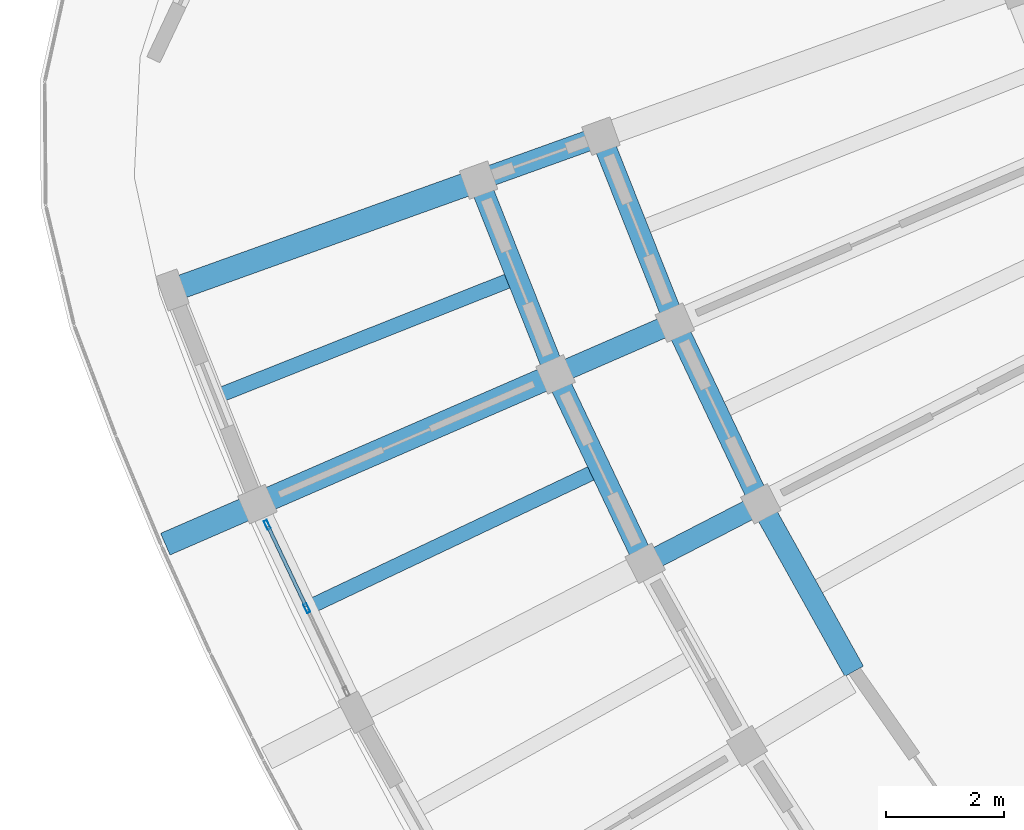
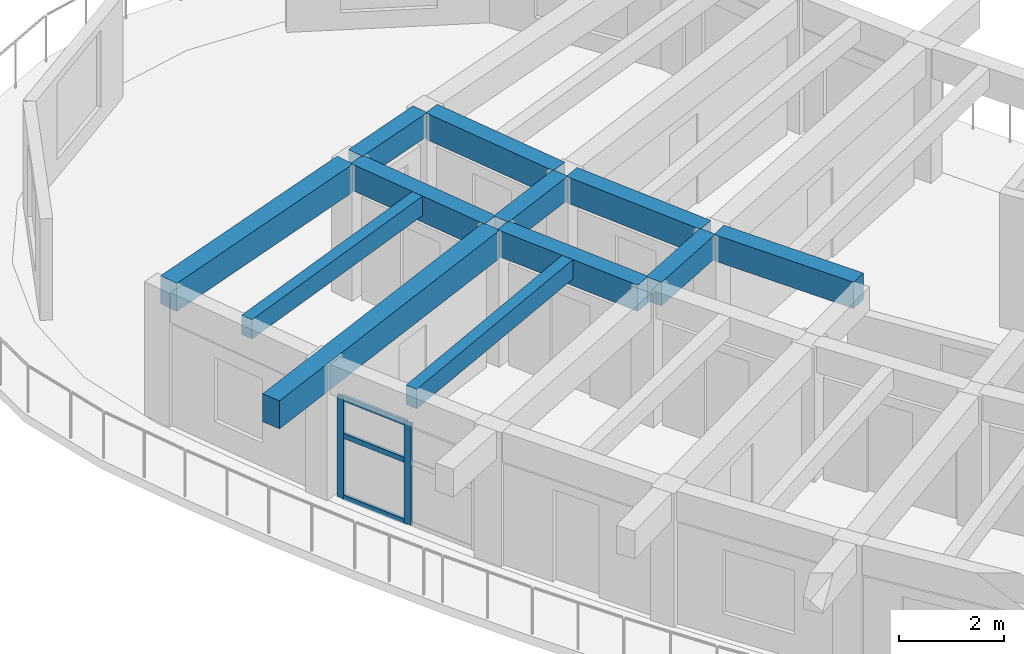
# One storey, part 10 of 83: 12 beams, 5 members, 1 element without a shape of its own.
"""IFC4 building model written with IfcOpenShell, lengths in metres."""

from ifc_helpers import new_model, si_unit, direction, frame, origin, origin_2d, place, context, subcontext, project, spatial, rectangle, hollow_rectangle, extrude, material, material_profile, profile_set, type_object, element, aggregate, save


model = new_model("IFC4")

# Units and contexts
model_context = context("Model", 3, precision=1e-05, world=origin(), true_north=direction((0.0, 1.0)))
body_context = subcontext(model_context, "Body", "Model", "MODEL_VIEW")
ifc_project = project(units=[si_unit("LENGTHUNIT", "METRE"), si_unit("AREAUNIT", "SQUARE_METRE"), si_unit("VOLUMEUNIT", "CUBIC_METRE"), si_unit("PLANEANGLEUNIT", "RADIAN"), si_unit("MASSUNIT", "GRAM", prefix="KILO")], contexts=[model_context])

# Site, building, storey
site_placement = place(None, origin())
site = spatial("IfcSite", under=ifc_project, at=site_placement, CompositionType="ELEMENT")
building_placement = place(site_placement, origin())
building = spatial("IfcBuilding", under=site, at=building_placement, Name="Tanwirah Colonnade Gardens", CompositionType="ELEMENT")
storey_placement = place(building_placement, frame((0.0, 0.0, 25.639892578125)))
storey = spatial("IfcBuildingStorey", under=building, at=storey_placement, Name="L07", CompositionType="ELEMENT", Elevation=25.639892578125)

# Beams
ifc_material_1 = material(Name="Precast concrete C40/50", Category="concrete")
ifc_material_profile_1 = material_profile(ifc_material_1, rectangle(XDim=0.360107421875, YDim=0.610107421875, at=origin_2d()), Name="PC-BM 360x610")
ifc_profile_set_1 = profile_set([ifc_material_profile_1], Name="Precast concrete C40/50")
beam_type_1 = type_object("IfcBeamType", Name="BM-PC300", PredefinedType="BEAM", material=ifc_profile_set_1)
beam_1_placement = place(storey_placement, frame((16.25537109375, 46.839599609375, 2.80517578125), z_axis=(0.368544574427, -0.929610077753, 0.0), x_axis=(0.929610077753, 0.368544574427, 0.0)))
element("IfcBeam", 1, at=beam_1_placement, inside=storey, type_object=beam_type_1, Name="Block C L07 Circumferential Beam 1-R1", PredefinedType="BEAM", context=body_context, shape_type="SweptSolid", body=[
    extrude(rectangle(XDim=0.360107421875, YDim=0.610107421875, at=origin_2d()), origin(), (0.0, 0.0, 1.0), 3.093017578125),
])
beam_2_placement = place(storey_placement, frame((14.184814453125, 46.09619140625, 2.80517578125), z_axis=(0.368527954052, -0.929616666741, 0.0), x_axis=(0.929616666741, 0.368527954052, 0.0)))
element("IfcBeam", 2, at=beam_2_placement, inside=storey, type_object=beam_type_1, Name="Block C L07 Circumferential Beam 1-R2", PredefinedType="BEAM", context=body_context, shape_type="SweptSolid", body=[
    extrude(rectangle(XDim=0.360107421875, YDim=0.610107421875, at=origin_2d()), origin(), (0.0, 0.0, 1.0), 3.23681640625),
])
beam_3_placement = place(storey_placement, frame((17.5146484375, 43.689453125, 2.80517578125), z_axis=(0.428520598641, -0.903532011907, 0.0), x_axis=(0.903532011907, 0.428520598641, 0.0)))
element("IfcBeam", 3, at=beam_3_placement, inside=storey, type_object=beam_type_1, Name="Block C L07 Circumferential Beam 2-R1", PredefinedType="BEAM", context=body_context, shape_type="SweptSolid", body=[
    extrude(rectangle(XDim=0.360107421875, YDim=0.610107421875, at=origin_2d()), origin(), (0.0, 0.0, 1.0), 3.093017578125),
])
beam_4_placement = place(storey_placement, frame((15.4970703125, 42.81201171875, 2.80517578125), z_axis=(0.428562893949, -0.903511951183, 0.0), x_axis=(0.903511951183, 0.428562893949, 0.0)))
element("IfcBeam", 4, at=beam_4_placement, inside=storey, type_object=beam_type_1, Name="Block C L07 Circumferential Beam 2-R2", PredefinedType="BEAM", context=body_context, shape_type="SweptSolid", body=[
    extrude(rectangle(XDim=0.360107421875, YDim=0.610107421875, at=origin_2d()), origin(), (0.0, 0.0, 1.0), 3.23681640625),
])
beam_5_placement = place(storey_placement, frame((18.9775390625, 40.628173828125, 2.80517578125), z_axis=(0.486708181837, -0.873564620239, 0.0), x_axis=(0.873564620239, 0.486708181837, 0.0)))
element("IfcBeam", 5, at=beam_5_placement, inside=storey, type_object=beam_type_1, Name="Block C L07 Circumferential Beam 3-R1", PredefinedType="BEAM", context=body_context, shape_type="SweptSolid", body=[
    extrude(rectangle(XDim=0.360107421875, YDim=0.610107421875, at=origin_2d()), origin(), (0.0, 0.0, 1.0), 3.093017578125),
])
ifc_material_profile_2 = material_profile(ifc_material_1, rectangle(XDim=0.35009765625, YDim=0.550048828125, at=origin_2d()), Name="PC-BM 350x550")
ifc_profile_set_2 = profile_set([ifc_material_profile_2], Name="Precast concrete C40/50")
beam_type_2 = type_object("IfcBeamType", Name="BM-PC350A", PredefinedType="BEAM", material=ifc_profile_set_2)
beam_6_placement = place(storey_placement, frame((16.058837890625, 46.92822265625, 2.835205078125), z_axis=(-0.941214575511, -0.337809299525, 0.0), x_axis=(0.337809299525, -0.941214575511, 0.0)))
element("IfcBeam", 6, at=beam_6_placement, inside=storey, type_object=beam_type_2, Name="Block C L07 Corridor Tie Beam 1", PredefinedType="BEAM", context=body_context, shape_type="SweptSolid", body=[
    extrude(rectangle(XDim=0.35009765625, YDim=0.550048828125, at=origin_2d()), origin(), (0.0, 0.0, 1.0), 1.89990234375),
])
beam_7_placement = place(storey_placement, frame((17.31298828125, 43.76513671875, 2.835205078125), z_axis=(-0.917025109963, -0.398829471952, 0.0), x_axis=(0.398829471952, -0.917025109963, 0.0)))
element("IfcBeam", 7, at=beam_7_placement, inside=storey, type_object=beam_type_2, Name="Block C L07 Corridor Tie Beam 2", PredefinedType="BEAM", context=body_context, shape_type="SweptSolid", body=[
    extrude(rectangle(XDim=0.35009765625, YDim=0.550048828125, at=origin_2d()), origin(), (0.0, 0.0, 1.0), 1.900146484375),
])
beam_8_placement = place(storey_placement, frame((18.77099609375, 40.690673828125, 2.835205078125), z_axis=(-0.888965044602, -0.457975053334, 0.0), x_axis=(0.457975053334, -0.888965044602, 0.0)))
element("IfcBeam", 8, at=beam_8_placement, inside=storey, type_object=beam_type_2, Name="Block C L07 Corridor Tie Beam 3", PredefinedType="BEAM", context=body_context, shape_type="SweptSolid", body=[
    extrude(rectangle(XDim=0.35009765625, YDim=0.550048828125, at=origin_2d()), origin(), (0.0, 0.0, 1.0), 1.89990234375),
])
ifc_material_2 = material(Name="Precast concrete C45/55", Category="concrete")
ifc_material_profile_3 = material_profile(ifc_material_2, rectangle(XDim=0.39990234375, YDim=0.64990234375, at=origin_2d()), Name="PC-BM 400x650")
ifc_profile_set_3 = profile_set([ifc_material_profile_3], Name="Precast concrete C45/55")
beam_type_3 = type_object("IfcBeamType", Name="BM-PC400", PredefinedType="BEAM", material=ifc_profile_set_3)
beam_9_placement = place(storey_placement, frame((13.98828125, 46.184814453125, 2.78515625), z_axis=(-0.941179739589, -0.337906344698, 0.0), x_axis=(0.337906344698, -0.941179739589, 0.0)))
element("IfcBeam", 9, at=beam_9_placement, inside=storey, type_object=beam_type_3, Name="Block C L07 Outer Radial Precast Girder 1", PredefinedType="BEAM", context=body_context, shape_type="SweptSolid", body=[
    extrude(rectangle(XDim=0.39990234375, YDim=0.64990234375, at=origin_2d()), origin(), (0.0, 0.0, 1.0), 5.199951171875),
])
beam_10_placement = place(storey_placement, frame((15.29541015625, 42.8876953125, 2.78515625), z_axis=(-0.91706895514, -0.398728643965, 0.0), x_axis=(0.398728643965, -0.91706895514, 0.0)))
element("IfcBeam", 10, at=beam_10_placement, inside=storey, type_object=beam_type_3, Name="Block C L07 Outer Radial Precast Girder 2", PredefinedType="BEAM", context=body_context, shape_type="SweptSolid", body=[
    extrude(rectangle(XDim=0.39990234375, YDim=0.64990234375, at=origin_2d()), origin(), (0.0, 0.0, 1.0), 7.050048828125),
])

# Curtain wall, members
ifc_material_3 = material(Name="Bronze-anodised aluminium and solar-control low-E glass", Category="aluminium")
curtain_wall_type = type_object("IfcCurtainWallType", Name="CW-LOB", PredefinedType="NOTDEFINED", material=ifc_material_3)
curtain_wall_placement = place(storey_placement, origin())
curtain_wall = element("IfcCurtainWall", 11, at=curtain_wall_placement, inside=storey, type_object=curtain_wall_type, Name="Curtain Wall CW-C-L07-OUT-02", PredefinedType="NOTDEFINED")
ifc_material_4 = material(Name="Bronze-anodised aluminium", Category="aluminium")
ifc_material_profile_4 = material_profile(ifc_material_4, hollow_rectangle(XDim=0.06005859375, YDim=0.159912109375, WallThickness=0.00390625, at=origin_2d()), Name="CW-MUL 60x160x4")
ifc_profile_set_4 = profile_set([ifc_material_profile_4], Name="Bronze-anodised aluminium")
member_type_1 = type_object("IfcMemberType", Name="CWM-60x160", PredefinedType="MULLION", material=ifc_profile_set_4)
member_1_placement = place(storey_placement, frame((10.55615234375, 40.402099609375, 0.0), z_axis=(0.0, 0.0, 1.0), x_axis=(0.903522749404, 0.428540128004, 0.0)))
member_1 = element("IfcMember", 12, at=member_1_placement, type_object=member_type_1, Name="CW-LOB mullion 1", PredefinedType="MULLION", context=body_context, shape_type="SweptSolid", body=[
    extrude(hollow_rectangle(XDim=0.06005859375, YDim=0.159912109375, WallThickness=0.00390625, at=origin_2d()), origin(), (0.0, 0.0, 1.0), 2.355224609375),
])
member_2_placement = place(storey_placement, frame((11.22412109375, 38.994140625, 0.0), z_axis=(0.0, 0.0, 1.0), x_axis=(0.903522749404, 0.428540128004, 0.0)))
member_2 = element("IfcMember", 13, at=member_2_placement, type_object=member_type_1, Name="CW-LOB mullion 2", PredefinedType="MULLION", context=body_context, shape_type="SweptSolid", body=[
    extrude(hollow_rectangle(XDim=0.06005859375, YDim=0.159912109375, WallThickness=0.00390625, at=origin_2d()), origin(), (0.0, 0.0, 1.0), 2.355224609375),
])
ifc_material_profile_5 = material_profile(ifc_material_4, hollow_rectangle(XDim=0.06005859375, YDim=0.1201171875, WallThickness=0.00390625, at=origin_2d()), Name="CW-TRN 60x120x4")
ifc_profile_set_5 = profile_set([ifc_material_profile_5], Name="Bronze-anodised aluminium")
member_type_2 = type_object("IfcMemberType", Name="CWT-60x120", PredefinedType="USERDEFINED", material=ifc_profile_set_5)
member_3_placement = place(storey_placement, frame((10.569091796875, 40.375, 0.030029296875), z_axis=(0.428541573905, -0.903522063613, 0.0), x_axis=(0.903522063613, 0.428541573905, 0.0)))
member_3 = element("IfcMember", 14, at=member_3_placement, type_object=member_type_2, Name="CW-LOB transom 1.1", ObjectType="TRANSOM", PredefinedType="USERDEFINED", context=body_context, shape_type="SweptSolid", body=[
    extrude(hollow_rectangle(XDim=0.06005859375, YDim=0.1201171875, WallThickness=0.00390625, at=origin_2d()), origin(), (0.0, 0.0, 1.0), 1.498291015625),
])
member_4_placement = place(storey_placement, frame((10.569091796875, 40.375, 1.460205078125), z_axis=(0.428541573905, -0.903522063613, 0.0), x_axis=(0.903522063613, 0.428541573905, 0.0)))
member_4 = element("IfcMember", 15, at=member_4_placement, type_object=member_type_2, Name="CW-LOB transom 1.2", ObjectType="TRANSOM", PredefinedType="USERDEFINED", context=body_context, shape_type="SweptSolid", body=[
    extrude(hollow_rectangle(XDim=0.06005859375, YDim=0.1201171875, WallThickness=0.00390625, at=origin_2d()), origin(), (0.0, 0.0, 1.0), 1.498291015625),
])
member_5_placement = place(storey_placement, frame((10.569091796875, 40.375, 2.3251953125), z_axis=(0.428541573905, -0.903522063613, 0.0), x_axis=(0.903522063613, 0.428541573905, 0.0)))
member_5 = element("IfcMember", 16, at=member_5_placement, type_object=member_type_2, Name="CW-LOB transom 1.3", ObjectType="TRANSOM", PredefinedType="USERDEFINED", context=body_context, shape_type="SweptSolid", body=[
    extrude(hollow_rectangle(XDim=0.06005859375, YDim=0.1201171875, WallThickness=0.00390625, at=origin_2d()), origin(), (0.0, 0.0, 1.0), 1.498291015625),
])
aggregate(curtain_wall, [member_1, member_2, member_3, member_4, member_5])

# Beams
ifc_material_profile_6 = material_profile(ifc_material_1, rectangle(XDim=0.25, YDim=0.449951171875, at=origin_2d()), Name="PC-JST 250x450")
ifc_profile_set_6 = profile_set([ifc_material_profile_6], Name="Precast concrete C40/50")
beam_type_4 = type_object("IfcBeamType", Name="JST-PC250", PredefinedType="JOIST", material=ifc_profile_set_6)
for number, where, z_axis, x_axis, name in (
    (17, (14.642822265625, 44.53662109375, 2.885009765625), (-0.929618207145, -0.368524068338, 0.0), (0.368524068338, -0.929618207145, 0.0), "Block C L07 Precast Floor Joist 1"),
    (18, (16.05615234375, 41.285888671875, 2.885009765625), (-0.903517509842, -0.428551174785, 0.0), (0.428551174785, -0.903517509842, 0.0), "Block C L07 Precast Floor Joist 2"),
):
    element("IfcBeam", number, at=place(storey_placement, frame(where, z_axis=z_axis, x_axis=x_axis)), inside=storey, type_object=beam_type_4, Name=name, PredefinedType="JOIST", context=body_context, shape_type="SweptSolid", body=[
        extrude(rectangle(XDim=0.25, YDim=0.449951171875, at=origin_2d()), origin(), (0.0, 0.0, 1.0), 5.260009765625),
    ])

save(model, "model.ifc")
